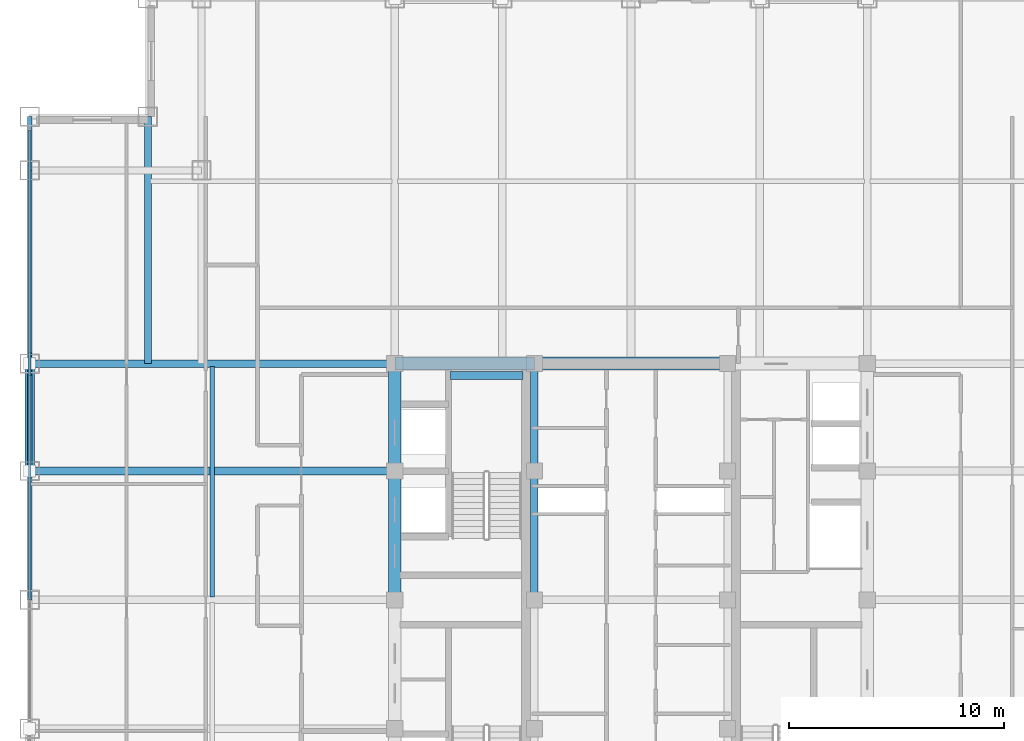
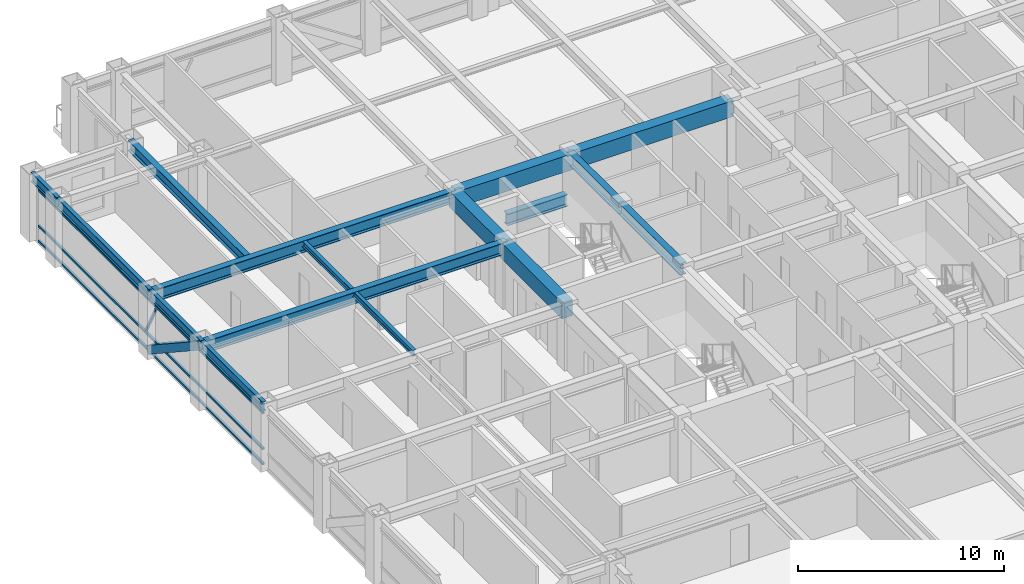
# One storey, part 14 of 32: 15 beams, 5 members, 1 element without a shape of its own.
"""IFC4 building model written with IfcOpenShell, lengths in metres."""

from ifc_helpers import new_model, si_unit, direction, frame, origin, origin_2d, place, context, subcontext, project, spatial, rectangle, hollow_rectangle, i_section, extrude, source, transform, mapped, material, material_profile, profile_set, type_object, element, aggregate, save


model = new_model("IFC4")

# Units and contexts
model_context = context("Model", 3, precision=1e-05, world=origin(), true_north=direction((0.0, 1.0)))
body_context = subcontext(model_context, "Body", "Model", "MODEL_VIEW")
ifc_project = project(units=[si_unit("LENGTHUNIT", "METRE"), si_unit("AREAUNIT", "SQUARE_METRE"), si_unit("VOLUMEUNIT", "CUBIC_METRE"), si_unit("PLANEANGLEUNIT", "RADIAN"), si_unit("MASSUNIT", "GRAM", prefix="KILO")], contexts=[model_context])

# Site, building, storey
site_placement = place(None, origin())
site = spatial("IfcSite", under=ifc_project, at=site_placement, CompositionType="ELEMENT")
building_placement = place(site_placement, origin())
building = spatial("IfcBuilding", under=site, at=building_placement, Name="Khorayat Bourse Tower", CompositionType="ELEMENT")
storey_placement = place(building_placement, frame((0.0, 0.0, 273.5)))
storey = spatial("IfcBuildingStorey", under=building, at=storey_placement, Name="L64", CompositionType="ELEMENT", Elevation=273.5)

# Beams
ifc_material_1 = material(Name="Steel ASTM A992 Grade 50", Category="steel")
ifc_material_profile_1 = material_profile(ifc_material_1, i_section(OverallWidth=0.35498046875, OverallDepth=0.695068359375, WebThickness=0.015380859375, FlangeThickness=0.02490234375, FilletRadius=0.01806640625, at=origin_2d()), Name="W690X217")
ifc_profile_set_1 = profile_set([ifc_material_profile_1], Name="Steel ASTM A992 Grade 50")
beam_type_1 = type_object("IfcBeamType", Name="BM-GIRD-690", PredefinedType="BEAM", material=ifc_profile_set_1)
shared_shape_1 = source(origin(), body_context, "Body", "SweptSolid", [
    extrude(i_section(OverallWidth=0.35498046875, OverallDepth=0.695068359375, WebThickness=0.015380859375, FlangeThickness=0.02490234375, FilletRadius=0.01806640625, at=origin_2d()), origin(), (0.0, 0.0, 1.0), 5.0),
])
beam_1_placement = place(storey_placement, frame((-4.5, 6.0, 3.4326171875), z_axis=(0.0, 1.0, 0.0), x_axis=(-1.0, 0.0, 0.0)))
element("IfcBeam", 1, at=beam_1_placement, inside=storey, type_object=beam_type_1, Name="L64 BM-GIRD-690 BM-L64-CRX-08", PredefinedType="BEAM", context=body_context, shape_type="MappedRepresentation", body=[
    mapped(shared_shape_1, transform((0.0, 0.0, 0.0), scale=1.0)),
])
shared_shape_2 = source(origin(), body_context, "Body", "SweptSolid", [
    extrude(i_section(OverallWidth=0.35498046875, OverallDepth=0.695068359375, WebThickness=0.015380859375, FlangeThickness=0.02490234375, FilletRadius=0.01806640625, at=origin_2d()), origin(), (0.0, 0.0, 1.0), 6.0),
])
beam_2_placement = place(storey_placement, frame((-4.5, 0.0, 3.4326171875), z_axis=(0.0, 1.0, 0.0), x_axis=(-1.0, 0.0, 0.0)))
element("IfcBeam", 2, at=beam_2_placement, inside=storey, type_object=beam_type_1, Name="L64 BM-GIRD-690 BM-L64-CRX-07", PredefinedType="BEAM", context=body_context, shape_type="MappedRepresentation", body=[
    mapped(shared_shape_2, transform((0.0, 0.0, 0.0), scale=1.0)),
])
shared_shape_3 = source(origin(), body_context, "Body", "SweptSolid", [
    extrude(i_section(OverallWidth=0.35498046875, OverallDepth=0.695068359375, WebThickness=0.015380859375, FlangeThickness=0.02490234375, FilletRadius=0.01806640625, at=origin_2d()), origin(), (0.0, 0.0, 1.0), 3.39990234375),
])
beam_3_placement = place(storey_placement, frame((-8.419921875, 10.449951171875, 1.452392578125), z_axis=(1.0, 0.0, 0.0), x_axis=(0.0, 1.0, 0.0)))
element("IfcBeam", 3, at=beam_3_placement, inside=storey, type_object=beam_type_1, Name="L64 BM-GIRD-690 BM-L64-ST2L", PredefinedType="BEAM", context=body_context, shape_type="MappedRepresentation", body=[
    mapped(shared_shape_3, transform((0.0, 0.0, 0.0), scale=1.0)),
])
ifc_material_2 = material(Name="Concrete C60/75", Category="concrete")
ifc_material_profile_2 = material_profile(ifc_material_2, rectangle(XDim=0.60009765625, YDim=0.949951171875, at=origin_2d()), Name="RC 600x950")
ifc_profile_set_2 = profile_set([ifc_material_profile_2], Name="Concrete C60/75")
beam_type_2 = type_object("IfcBeamType", Name="BM-COUP-950", PredefinedType="BEAM", material=ifc_profile_set_2)
shared_shape_4 = source(origin(), body_context, "Body", "SweptSolid", [
    extrude(rectangle(XDim=0.60009765625, YDim=0.949951171875, at=origin_2d()), origin(), (0.0, 0.0, 1.0), 5.0),
])
beam_4_placement = place(storey_placement, frame((-11.0, 6.0, 3.304931640625), z_axis=(0.0, 1.0, 0.0), x_axis=(-1.0, 0.0, 0.0)))
element("IfcBeam", 4, at=beam_4_placement, inside=storey, type_object=beam_type_2, Name="L64 BM-COUP-950 BM-L64-CRX-04", PredefinedType="BEAM", context=body_context, shape_type="MappedRepresentation", body=[
    mapped(shared_shape_4, transform((0.0, 0.0, 0.0), scale=1.0)),
])
shared_shape_5 = source(origin(), body_context, "Body", "SweptSolid", [
    extrude(rectangle(XDim=0.60009765625, YDim=0.949951171875, at=origin_2d()), origin(), (0.0, 0.0, 1.0), 6.0),
])
beam_5_placement = place(storey_placement, frame((-11.0, 0.0, 3.304931640625), z_axis=(0.0, 1.0, 0.0), x_axis=(-1.0, 0.0, 0.0)))
element("IfcBeam", 5, at=beam_5_placement, inside=storey, type_object=beam_type_2, Name="L64 BM-COUP-950 BM-L64-CRX-03", PredefinedType="BEAM", context=body_context, shape_type="MappedRepresentation", body=[
    mapped(shared_shape_5, transform((0.0, 0.0, 0.0), scale=1.0)),
])
shared_shape_6 = source(origin(), body_context, "Body", "SweptSolid", [
    extrude(rectangle(XDim=0.60009765625, YDim=0.949951171875, at=origin_2d()), origin(), (0.0, 0.0, 1.0), 6.5),
])
beam_6_placement = place(storey_placement, frame((-11.0, 11.0, 3.304931640625), z_axis=(1.0, 0.0, 0.0), x_axis=(0.0, 1.0, 0.0)))
element("IfcBeam", 6, at=beam_6_placement, inside=storey, type_object=beam_type_2, Name="L64 BM-COUP-950 BM-L64-CRY-20", PredefinedType="BEAM", context=body_context, shape_type="MappedRepresentation", body=[
    mapped(shared_shape_6, transform((0.0, 0.0, 0.0), scale=1.0)),
])
shared_shape_7 = source(origin(), body_context, "Body", "SweptSolid", [
    extrude(rectangle(XDim=0.60009765625, YDim=0.949951171875, at=origin_2d()), origin(), (0.0, 0.0, 1.0), 9.0),
])
beam_7_placement = place(storey_placement, frame((-4.5, 11.0, 3.304931640625), z_axis=(1.0, 0.0, 0.0), x_axis=(0.0, 1.0, 0.0)))
element("IfcBeam", 7, at=beam_7_placement, inside=storey, type_object=beam_type_2, Name="L64 BM-COUP-950 BM-L64-CRY-21", PredefinedType="BEAM", context=body_context, shape_type="MappedRepresentation", body=[
    mapped(shared_shape_7, transform((0.0, 0.0, 0.0), scale=1.0)),
])

# Member
ifc_material_3 = material(Name="Steel EN 10025-4 S460M", Category="steel")
ifc_material_profile_3 = material_profile(ifc_material_3, hollow_rectangle(XDim=0.449951171875, YDim=0.449951171875, WallThickness=0.02490234375, at=origin_2d()), Name="HSS 450x450x25")
ifc_profile_set_3 = profile_set([ifc_material_profile_3], Name="Steel EN 10025-4 S460M")
member_type_1 = type_object("IfcMemberType", Name="MBR-TUBE-450", PredefinedType="BRACE", material=ifc_profile_set_3)
shared_shape_8 = source(origin(), body_context, "Body", "SweptSolid", [
    extrude(hollow_rectangle(XDim=0.449951171875, YDim=0.449951171875, WallThickness=0.02490234375, at=origin_2d()), origin(), (0.0, 0.0, 1.0), 5.979736328125),
])
member_1_placement = place(storey_placement, frame((-28.0, 6.0, 3.530029296875), z_axis=(0.0, 0.836141536525, -0.548513747227), x_axis=(-1.0, 0.0, 0.0)))
element("IfcMember", 8, at=member_1_placement, inside=storey, type_object=member_type_1, Name="L64 Perimeter Tube Brace 06", PredefinedType="BRACE", context=body_context, shape_type="MappedRepresentation", body=[
    mapped(shared_shape_8, transform((0.0, 0.0, 0.0), scale=1.0)),
])

# Beams
shared_shape_9 = source(origin(), body_context, "Body", "SweptSolid", [
    extrude(i_section(OverallWidth=0.35498046875, OverallDepth=0.695068359375, WebThickness=0.015380859375, FlangeThickness=0.02490234375, FilletRadius=0.01806640625, at=origin_2d()), origin(), (0.0, 0.0, 1.0), 17.0),
])
for number, where, z_axis, x_axis, name in (
    (9, (-28.0, 6.0, 3.4326171875), (1.0, 0.0, 0.0), (0.0, 1.0, 0.0), "L64 BM-GIRD-690 BM-L64-RADX-081"),
    (10, (-28.0, 11.0, 3.4326171875), (1.0, 0.0, 0.0), (0.0, 1.0, 0.0), "L64 BM-GIRD-690 BM-L64-RADX-083"),
):
    element("IfcBeam", number, at=place(storey_placement, frame(where, z_axis=z_axis, x_axis=x_axis)), inside=storey, type_object=beam_type_1, Name=name, PredefinedType="BEAM", context=body_context, shape_type="MappedRepresentation", body=[
        mapped(shared_shape_9, transform((0.0, 0.0, 0.0), scale=1.0)),
    ])
ifc_material_profile_4 = material_profile(ifc_material_1, i_section(OverallWidth=0.324951171875, OverallDepth=0.615966796875, WebThickness=0.013916015625, FlangeThickness=0.021484375, FilletRadius=0.01611328125, at=origin_2d()), Name="W610X174")
ifc_profile_set_4 = profile_set([ifc_material_profile_4], Name="Steel ASTM A992 Grade 50")
beam_type_3 = type_object("IfcBeamType", Name="BM-GIRD-610", PredefinedType="BEAM", material=ifc_profile_set_4)
shared_shape_10 = source(origin(), body_context, "Body", "SweptSolid", [
    extrude(i_section(OverallWidth=0.324951171875, OverallDepth=0.615966796875, WebThickness=0.013916015625, FlangeThickness=0.021484375, FilletRadius=0.01611328125, at=origin_2d()), origin(), (0.0, 0.0, 1.0), 11.5),
])
beam_8_placement = place(storey_placement, frame((-22.5, 11.0, 3.471923828125), z_axis=(0.0, 1.0, 0.0), x_axis=(-1.0, 0.0, 0.0)))
element("IfcBeam", 11, at=beam_8_placement, inside=storey, type_object=beam_type_3, Name="L64 BM-GIRD-610 BM-L64-CNRY-089", PredefinedType="BEAM", context=body_context, shape_type="MappedRepresentation", body=[
    mapped(shared_shape_10, transform((0.0, 0.0, 0.0), scale=1.0)),
])
ifc_material_profile_5 = material_profile(ifc_material_1, i_section(OverallWidth=0.202880859375, OverallDepth=0.346923828125, WebThickness=0.0078125, FlangeThickness=0.013427734375, FilletRadius=0.010009765625, at=origin_2d()), Name="W360X64")
ifc_profile_set_5 = profile_set([ifc_material_profile_5], Name="Steel ASTM A992 Grade 50")
beam_type_4 = type_object("IfcBeamType", Name="BM-JOIST-360", PredefinedType="JOIST", material=ifc_profile_set_5)
shared_shape_11 = source(origin(), body_context, "Body", "SweptSolid", [
    extrude(i_section(OverallWidth=0.202880859375, OverallDepth=0.346923828125, WebThickness=0.0078125, FlangeThickness=0.013427734375, FilletRadius=0.010009765625, at=origin_2d()), origin(), (0.0, 0.0, 1.0), 10.740234375),
])
beam_9_placement = place(storey_placement, frame((-19.5, 0.1298828125, 3.6064453125), z_axis=(0.0, 1.0, 0.0), x_axis=(-1.0, 0.0, 0.0)))
element("IfcBeam", 12, at=beam_9_placement, inside=storey, type_object=beam_type_4, Name="L64 BM-JOIST-360 BM-L64-JSTY-103", PredefinedType="JOIST", context=body_context, shape_type="MappedRepresentation", body=[
    mapped(shared_shape_11, transform((0.0, 0.0, 0.0), scale=1.0)),
])
ifc_material_profile_6 = material_profile(ifc_material_1, i_section(OverallWidth=0.214111328125, OverallDepth=0.549072265625, WebThickness=0.0146484375, FlangeThickness=0.023681640625, FilletRadius=0.013916015625, at=origin_2d()), Name="W530X138")
ifc_profile_set_6 = profile_set([ifc_material_profile_6], Name="Steel ASTM A992 Grade 50")
beam_type_5 = type_object("IfcBeamType", Name="BM-SPAN-530", PredefinedType="SPANDREL", material=ifc_profile_set_6)
shared_shape_12 = source(origin(), body_context, "Body", "SweptSolid", [
    extrude(i_section(OverallWidth=0.214111328125, OverallDepth=0.549072265625, WebThickness=0.0146484375, FlangeThickness=0.023681640625, FilletRadius=0.013916015625, at=origin_2d()), origin(), (0.0, 0.0, 1.0), 2.5),
])
beam_10_placement = place(storey_placement, frame((-28.0, 20.0, 3.505615234375), z_axis=(0.0, 1.0, 0.0), x_axis=(-1.0, 0.0, 0.0)))
element("IfcBeam", 13, at=beam_10_placement, inside=storey, type_object=beam_type_5, Name="L64 BM-SPAN-530 BM-L64-SPN-054", PredefinedType="SPANDREL", context=body_context, shape_type="MappedRepresentation", body=[
    mapped(shared_shape_12, transform((0.0, 0.0, 0.0), scale=1.0)),
])
shared_shape_13 = source(origin(), body_context, "Body", "SweptSolid", [
    extrude(i_section(OverallWidth=0.214111328125, OverallDepth=0.549072265625, WebThickness=0.0146484375, FlangeThickness=0.023681640625, FilletRadius=0.013916015625, at=origin_2d()), origin(), (0.0, 0.0, 1.0), 9.0),
])
beam_11_placement = place(storey_placement, frame((-28.0, 11.0, 3.505615234375), z_axis=(0.0, 1.0, 0.0), x_axis=(-1.0, 0.0, 0.0)))
element("IfcBeam", 14, at=beam_11_placement, inside=storey, type_object=beam_type_5, Name="L64 BM-SPAN-530 BM-L64-SPN-055", PredefinedType="SPANDREL", context=body_context, shape_type="MappedRepresentation", body=[
    mapped(shared_shape_13, transform((0.0, 0.0, 0.0), scale=1.0)),
])
shared_shape_14 = source(origin(), body_context, "Body", "SweptSolid", [
    extrude(i_section(OverallWidth=0.214111328125, OverallDepth=0.549072265625, WebThickness=0.0146484375, FlangeThickness=0.023681640625, FilletRadius=0.013916015625, at=origin_2d()), origin(), (0.0, 0.0, 1.0), 5.0),
])
beam_12_placement = place(storey_placement, frame((-28.0, 6.0, 3.505615234375), z_axis=(0.0, 1.0, 0.0), x_axis=(-1.0, 0.0, 0.0)))
element("IfcBeam", 15, at=beam_12_placement, inside=storey, type_object=beam_type_5, Name="L64 BM-SPAN-530 BM-L64-SPN-056", PredefinedType="SPANDREL", context=body_context, shape_type="MappedRepresentation", body=[
    mapped(shared_shape_14, transform((0.0, 0.0, 0.0), scale=1.0)),
])
shared_shape_15 = source(origin(), body_context, "Body", "SweptSolid", [
    extrude(i_section(OverallWidth=0.214111328125, OverallDepth=0.549072265625, WebThickness=0.0146484375, FlangeThickness=0.023681640625, FilletRadius=0.013916015625, at=origin_2d()), origin(), (0.0, 0.0, 1.0), 6.0),
])
beam_13_placement = place(storey_placement, frame((-28.0, 0.0, 3.505615234375), z_axis=(0.0, 1.0, 0.0), x_axis=(-1.0, 0.0, 0.0)))
element("IfcBeam", 16, at=beam_13_placement, inside=storey, type_object=beam_type_5, Name="L64 BM-SPAN-530 BM-L64-SPN-057", PredefinedType="SPANDREL", context=body_context, shape_type="MappedRepresentation", body=[
    mapped(shared_shape_15, transform((0.0, 0.0, 0.0), scale=1.0)),
])

# Curtain wall, members
ifc_material_4 = material(Name="Aluminium EN AW-6063 T6", Category="aluminium")
curtain_wall_type = type_object("IfcCurtainWallType", Name="CW-SYS-04", PredefinedType="NOTDEFINED", material=ifc_material_4)
curtain_wall_placement = place(storey_placement, origin())
curtain_wall = element("IfcCurtainWall", 17, at=curtain_wall_placement, inside=storey, type_object=curtain_wall_type, Name="L64 Curtain Wall CW-L64-W1", PredefinedType="NOTDEFINED")
ifc_material_profile_7 = material_profile(ifc_material_4, hollow_rectangle(XDim=0.1201171875, YDim=0.1201171875, WallThickness=0.0048828125, at=origin_2d()), Name="ALU 120x120x5")
ifc_profile_set_7 = profile_set([ifc_material_profile_7], Name="Aluminium EN AW-6063 T6")
member_type_2 = type_object("IfcMemberType", Name="CWM-DIAG-120", PredefinedType="MULLION", material=ifc_profile_set_7)
shared_shape_16 = source(origin(), body_context, "Body", "SweptSolid", [
    extrude(hollow_rectangle(XDim=0.1201171875, YDim=0.1201171875, WallThickness=0.0048828125, at=origin_2d()), origin(), (0.0, 0.0, 1.0), 2.0791015625),
])
member_2_placement = place(storey_placement, frame((-28.0, 11.4541015625, 1.090087890625), z_axis=(0.0, -0.465717394116, 0.884933505309), x_axis=(1.0, 0.0, 0.0)))
member_2 = element("IfcMember", 18, at=member_2_placement, type_object=member_type_2, Name="CW-L64-W1 Faceted Diagonal Mullion 2", PredefinedType="MULLION", context=body_context, shape_type="MappedRepresentation", body=[
    mapped(shared_shape_16, transform((0.0, 0.0, 0.0), scale=1.0)),
])
ifc_material_profile_8 = material_profile(ifc_material_4, hollow_rectangle(XDim=0.1201171875, YDim=0.1201171875, WallThickness=0.0048828125, at=origin_2d()), Name="ALU 120x120x5")
ifc_profile_set_8 = profile_set([ifc_material_profile_8], Name="Aluminium EN AW-6063 T6")
member_type_3 = type_object("IfcMemberType", Name="CWT-HORZ-120", PredefinedType="USERDEFINED", material=ifc_profile_set_8)
shared_shape_17 = source(origin(), body_context, "Body", "SweptSolid", [
    extrude(hollow_rectangle(XDim=0.1201171875, YDim=0.1201171875, WallThickness=0.0048828125, at=origin_2d()), origin(), (0.0, 0.0, 1.0), 21.81982421875),
])
member_3_placement = place(storey_placement, frame((-28.0, 0.06005859375, 0.06005859375), z_axis=(0.0, 1.0, 0.0), x_axis=(-1.0, 0.0, 0.0)))
member_3 = element("IfcMember", 19, at=member_3_placement, type_object=member_type_3, Name="CW-L64-W1 Horizontal Transom 2-1", ObjectType="TRANSOM", PredefinedType="USERDEFINED", context=body_context, shape_type="MappedRepresentation", body=[
    mapped(shared_shape_17, transform((0.0, 0.0, 0.0), scale=1.0)),
])
member_4_placement = place(storey_placement, frame((-28.0, 0.06005859375, 0.949951171875), z_axis=(0.0, 1.0, 0.0), x_axis=(-1.0, 0.0, 0.0)))
member_4 = element("IfcMember", 20, at=member_4_placement, type_object=member_type_3, Name="CW-L64-W1 Horizontal Transom 2-2", ObjectType="TRANSOM", PredefinedType="USERDEFINED", context=body_context, shape_type="MappedRepresentation", body=[
    mapped(shared_shape_17, transform((0.0, 0.0, 0.0), scale=1.0)),
])
member_5_placement = place(storey_placement, frame((-28.0, 0.06005859375, 3.070068359375), z_axis=(0.0, 1.0, 0.0), x_axis=(-1.0, 0.0, 0.0)))
member_5 = element("IfcMember", 21, at=member_5_placement, type_object=member_type_3, Name="CW-L64-W1 Horizontal Transom 2-3", ObjectType="TRANSOM", PredefinedType="USERDEFINED", context=body_context, shape_type="MappedRepresentation", body=[
    mapped(shared_shape_17, transform((0.0, 0.0, 0.0), scale=1.0)),
])
aggregate(curtain_wall, [member_3, member_4, member_5, member_2])

save(model, "model.ifc")
